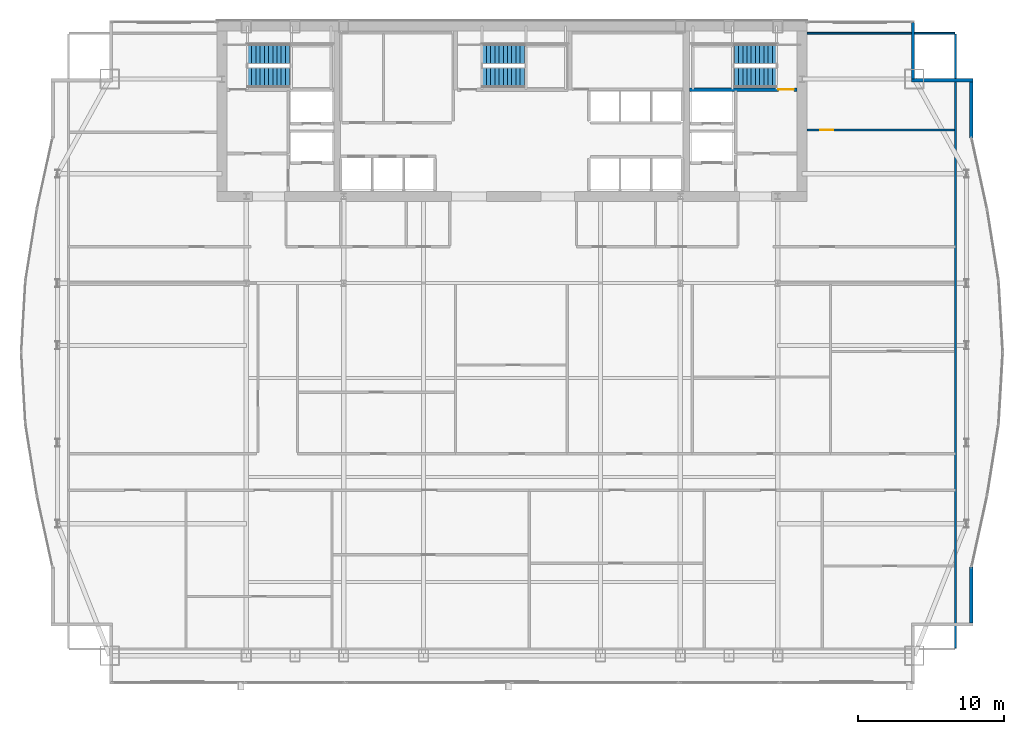
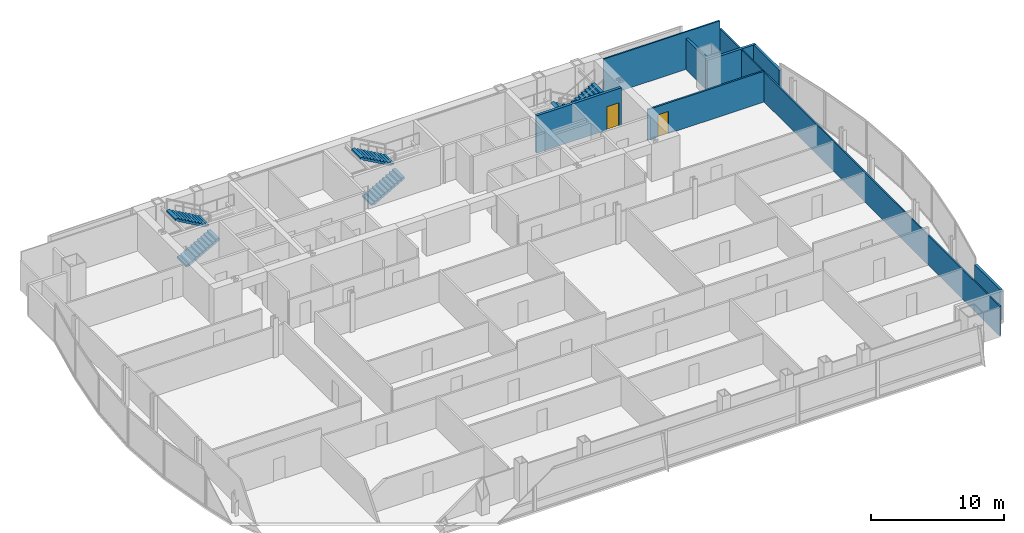
# One storey, part 27 of 29: 8 walls, 6 stair flights, 2 doors, 2 openings, 3 elements without a shape of their own.
"""IFC4 building model written with IfcOpenShell, lengths in metres."""

from ifc_helpers import new_model, si_unit, direction, frame, frame_2d, origin, place, context, subcontext, project, spatial, polyline, rectangle, outline, extrude, material, layer, layer_set, type_object, element, fill, aggregate, save


model = new_model("IFC4")

# Units and contexts
model_context = context("Model", 3, precision=1e-05, world=origin(), true_north=direction((0.0, 1.0)))
body_context = subcontext(model_context, "Body", "Model", "MODEL_VIEW")
ifc_project = project(units=[si_unit("LENGTHUNIT", "METRE"), si_unit("AREAUNIT", "SQUARE_METRE"), si_unit("VOLUMEUNIT", "CUBIC_METRE"), si_unit("PLANEANGLEUNIT", "RADIAN"), si_unit("MASSUNIT", "GRAM", prefix="KILO")], contexts=[model_context])

# Site, building, storey
site_placement = place(None, origin())
site = spatial("IfcSite", under=ifc_project, at=site_placement, CompositionType="ELEMENT")
building_placement = place(site_placement, origin())
building = spatial("IfcBuilding", under=site, at=building_placement, Name="Khoronbel Lancet Exchange", CompositionType="ELEMENT")
storey_placement = place(building_placement, frame((0.0, 0.0, 161.39990234375)))
storey = spatial("IfcBuildingStorey", under=building, at=storey_placement, Name="L40", CompositionType="ELEMENT", Elevation=161.39990234375)

# Walls
ifc_material_1 = material(Name="Precast concrete C40/50", Category="concrete")
ifc_layer_1 = layer(ifc_material_1, 0.25, Name="Precast concrete C40/50")
ifc_layer_set_1 = layer_set([ifc_layer_1], Name="Precast concrete C40/50")
wall_type_1 = type_object("IfcWallType", Name="WL-EXT250", PredefinedType="SOLIDWALL", material=ifc_layer_set_1)
wall_1_placement = place(storey_placement, frame((63.9599609375, 53.6298828125, 0.0), z_axis=(0.0, 0.0, 1.0), x_axis=(0.0, -1.0, 0.0)))
element("IfcWall", 1, at=wall_1_placement, inside=storey, type_object=wall_type_1, Name="Level L40 notched-corner limestone pier 14", PredefinedType="SOLIDWALL", context=body_context, shape_type="SweptSolid", body=[
    extrude(rectangle(XDim=3.909912109375, YDim=0.219970703125, at=frame_2d((1.955078125, 0.0))), origin(), (0.0, 0.0, 1.0), 2.830078125),
])
wall_2_placement = place(storey_placement, frame((63.85009765625, 49.610107421875, 0.0), z_axis=(0.0, 0.0, 1.0), x_axis=(1.0, 0.0, 0.0)))
element("IfcWall", 2, at=wall_2_placement, inside=storey, type_object=wall_type_1, Name="Level L40 notched-corner limestone pier 15", PredefinedType="SOLIDWALL", context=body_context, shape_type="SweptSolid", body=[
    extrude(rectangle(XDim=4.219970703125, YDim=0.219970703125, at=frame_2d((2.10986328125, 0.0))), origin(), (0.0, 0.0, 1.0), 2.830078125),
])
wall_3_placement = place(storey_placement, frame((67.9599609375, 49.5, 0.0), z_axis=(0.0, 0.0, 1.0), x_axis=(0.0, -1.0, 0.0)))
element("IfcWall", 3, at=wall_3_placement, inside=storey, type_object=wall_type_1, Name="Level L40 notched-corner limestone pier 16", PredefinedType="SOLIDWALL", context=body_context, shape_type="SweptSolid", body=[
    extrude(rectangle(XDim=3.82958984375, YDim=0.219970703125, at=frame_2d((1.914794921875, 0.0))), origin(), (0.0, 0.0, 1.0), 2.830078125),
])
wall_4_placement = place(storey_placement, frame((67.9599609375, 16.229736328125, 0.0), z_axis=(0.0, 0.0, 1.0), x_axis=(0.0, -1.0, 0.0)))
element("IfcWall", 4, at=wall_4_placement, inside=storey, type_object=wall_type_1, Name="Level L40 notched-corner limestone pier 23", PredefinedType="SOLIDWALL", context=body_context, shape_type="SweptSolid", body=[
    extrude(rectangle(XDim=3.829833984375, YDim=0.219970703125, at=frame_2d((1.9150390625, 0.0))), origin(), (0.0, 0.0, 1.0), 2.830078125),
])

# Wall, opening, door
ifc_material_2 = material(Name="Acoustic Metal-Stud & Mineral-Wool Gypsum Partition 120 mm", Category="gypsum")
ifc_layer_2 = layer(ifc_material_2, 0.1201171875, Name="Acoustic Metal-Stud & Mineral-Wool Gypsum Partition 120 mm")
ifc_layer_set_2 = layer_set([ifc_layer_2], Name="Acoustic Metal-Stud & Mineral-Wool Gypsum Partition 120 mm")
wall_type_2 = type_object("IfcWallType", Name="WL-PRT120", PredefinedType="PARTITIONING", material=ifc_layer_set_2)
wall_5_placement = place(storey_placement, frame((56.699951171875, 46.199951171875, 0.0), z_axis=(0.0, 0.0, 1.0), x_axis=(1.0, 0.0, 0.0)))
wall_5 = element("IfcWall", 5, at=wall_5_placement, inside=storey, type_object=wall_type_2, Name="Level L40 interior partition PW-NE-H", PredefinedType="PARTITIONING", context=body_context, shape_type="SweptSolid", body=[
    extrude(rectangle(XDim=10.10498046875, YDim=0.14990234375, at=frame_2d((5.052490234375, 0.0))), origin(), (0.0, 0.0, 1.0), 2.830078125),
])
opening_1_placement = place(wall_5_placement, frame((0.89990234375, 0.0, 0.0)))
opening_1 = element("IfcOpeningElement", 6, at=opening_1_placement, cuts=wall_5, Name="Opening D5", PredefinedType="OPENING", context=body_context, shape_type="SweptSolid", body=[
    extrude(rectangle(XDim=0.89990234375, YDim=2.050048828125, at=frame_2d((0.449951171875, 1.02490234375))), frame((0.0, 0.0849609375, 0.0), z_axis=(0.0, -1.0, 0.0), x_axis=(1.0, 0.0, 0.0)), (0.0, 0.0, 1.0), 0.169921875),
])
ifc_material_3 = material(Name="Acoustic Timber Pantry & Support Door", Category="wood")
door_type_1 = type_object("IfcDoorType", Name="DR-D5", OperationType="NOTDEFINED", PredefinedType="DOOR", material=ifc_material_3)
door_1_placement = place(opening_1_placement, origin())
door_1 = element("IfcDoor", 7, at=door_1_placement, inside=storey, type_object=door_type_1, Name="NE north room door L40-1", OperationType="SINGLE_SWING_RIGHT", OverallHeight=2.050048828125, OverallWidth=0.89990234375, PredefinedType="DOOR", context=body_context, shape_type="SweptSolid", body=[
    extrude(rectangle(XDim=0.89990234375, YDim=2.050048828125, at=frame_2d((0.449951171875, 1.02490234375))), frame((0.0, 0.02490234375, 0.0), z_axis=(0.0, -1.0, 0.0), x_axis=(1.0, 0.0, 0.0)), (0.0, 0.0, 1.0), 0.050048828125),
])
fill(opening_1, door_1)

# Walls
wall_6_placement = place(storey_placement, frame((66.8701171875, 10.6650390625, 0.0), z_axis=(0.0, 0.0, 1.0), x_axis=(0.0, 1.0, 0.0)))
element("IfcWall", 8, at=wall_6_placement, inside=storey, type_object=wall_type_2, Name="Level L40 interior partition PW-LIN-E", PredefinedType="PARTITIONING", context=body_context, shape_type="SweptSolid", body=[
    extrude(rectangle(XDim=42.10986328125, YDim=0.1201171875, at=frame_2d((21.054931640625, 0.0))), origin(), (0.0, 0.0, 1.0), 2.72998046875),
])
wall_7_placement = place(storey_placement, frame((56.699951171875, 52.840087890625, 0.0), z_axis=(0.0, 0.0, 1.0), x_axis=(1.0, 0.0, 0.0)))
element("IfcWall", 9, at=wall_7_placement, inside=storey, type_object=wall_type_2, Name="Level L40 interior partition PW-LIN-NE", PredefinedType="PARTITIONING", context=body_context, shape_type="SweptSolid", body=[
    extrude(rectangle(XDim=10.10498046875, YDim=0.1201171875, at=frame_2d((5.052490234375, 0.0))), origin(), (0.0, 0.0, 1.0), 3.440185546875),
])

# Wall, opening, door
ifc_material_4 = material(Name="Concrete C60/75", Category="concrete")
ifc_layer_3 = layer(ifc_material_4, 0.260009765625, Name="Concrete C60/75")
ifc_layer_set_3 = layer_set([ifc_layer_3], Name="Concrete C60/75")
wall_type_3 = type_object("IfcWallType", Name="WL-SW3", PredefinedType="SHEAR", material=ifc_layer_set_3)
wall_8_placement = place(storey_placement, frame((48.6298828125, 48.97998046875, 0.0), z_axis=(0.0, 0.0, 1.0), x_axis=(1.0, 0.0, 0.0)))
wall_8 = element("IfcWall", 10, at=wall_8_placement, inside=storey, type_object=wall_type_3, Name="Level L40 east stairwell structural south wall", PredefinedType="SHEAR", context=body_context, shape_type="SweptSolid", body=[
    extrude(rectangle(XDim=7.3701171875, YDim=0.239990234375, at=frame_2d((3.68505859375, 0.0))), origin(), (0.0, 0.0, 1.0), 3.440185546875),
])
opening_2_placement = place(wall_8_placement, frame((6.10009765625, 0.0, 0.0)))
opening_2 = element("IfcOpeningElement", 11, at=opening_2_placement, cuts=wall_8, Name="Opening SD1", PredefinedType="OPENING", context=body_context, shape_type="SweptSolid", body=[
    extrude(rectangle(XDim=1.050048828125, YDim=2.14990234375, at=frame_2d((0.52490234375, 1.074951171875))), frame((0.0, 0.1298828125, 0.0), z_axis=(0.0, -1.0, 0.0), x_axis=(1.0, 0.0, 0.0)), (0.0, 0.0, 1.0), 0.260009765625),
])
ifc_material_5 = material(Name="Fire-Rated Steel Stairwell Door Assembly", Category="steel")
door_type_2 = type_object("IfcDoorType", Name="DR-SD1", OperationType="NOTDEFINED", PredefinedType="DOOR", material=ifc_material_5)
door_2_placement = place(opening_2_placement, origin())
door_2 = element("IfcDoor", 12, at=door_2_placement, inside=storey, type_object=door_type_2, Name="Protected exit stair ST2 door L40", OperationType="SINGLE_SWING_RIGHT", OverallHeight=2.14990234375, OverallWidth=1.050048828125, PredefinedType="DOOR", context=body_context, shape_type="SweptSolid", body=[
    extrude(rectangle(XDim=1.050048828125, YDim=2.14990234375, at=frame_2d((0.52490234375, 1.074951171875))), frame((0.0, 0.02490234375, 0.0), z_axis=(0.0, -1.0, 0.0), x_axis=(1.0, 0.0, 0.0)), (0.0, 0.0, 1.0), 0.050048828125),
])
fill(opening_2, door_2)

# Stair, stair flights
ifc_material_6 = material(Name="Concrete C40/50", Category="concrete")
stair_type = type_object("IfcStairType", Name="STR-CORE150", PredefinedType="HALF_TURN_STAIR", material=ifc_material_6)
stair_1_placement = place(storey_placement, origin())
stair_1 = element("IfcStair", 13, at=stair_1_placement, inside=storey, type_object=stair_type, Name="L40 Protected Exit Stair ST1", PredefinedType="HALF_TURN_STAIR")
stair_flight_type = type_object("IfcStairFlightType", Name="STF-150", PredefinedType="STRAIGHT", material=ifc_material_6)
stair_flight_1_placement = place(storey_placement, frame((18.300048828125, 49.81005859375, 0.0), z_axis=(0.0, 0.0, 1.0), x_axis=(1.0, 0.0, 0.0)))
stair_flight_1 = element("IfcStairFlight", 14, at=stair_flight_1_placement, type_object=stair_flight_type, Name="ST1 flight 1", NumberOfRisers=11, NumberOfTreads=10, PredefinedType="STRAIGHT", RiserHeight=0.163636364, TreadLength=0.29, context=body_context, shape_type="SweptSolid", body=[
    extrude(outline(polyline([(0.0, 0.0), (0.0, 0.16357421875), (0.2900390625, 0.16357421875), (0.2900390625, 0.327392578125), (0.580078125, 0.327392578125), (0.580078125, 0.490966796875), (0.8701171875, 0.490966796875), (0.8701171875, 0.654541015625), (1.159912109375, 0.654541015625), (1.159912109375, 0.818115234375), (1.449951171875, 0.818115234375), (1.449951171875, 0.98193359375), (1.739990234375, 0.98193359375), (1.739990234375, 1.1455078125), (2.030029296875, 1.1455078125), (2.030029296875, 1.30908203125), (2.320068359375, 1.30908203125), (2.320068359375, 1.47265625), (2.610107421875, 1.47265625), (2.610107421875, 1.636474609375), (2.89990234375, 1.636474609375), (2.89990234375, 1.800048828125), (2.89990234375, 1.46435546875), (0.304931640625, 0.0), (0.0, 0.0)])), frame((0.0, 0.68994140625, 0.0), z_axis=(0.0, -1.0, 0.0), x_axis=(1.0, 0.0, 0.0)), (0.0, 0.0, 1.0), 1.3798828125),
])
stair_flight_2_placement = place(storey_placement, frame((21.199951171875, 51.409912109375, 1.800048828125), z_axis=(0.0, 0.0, 1.0), x_axis=(-1.0, 0.0, 0.0)))
stair_flight_2 = element("IfcStairFlight", 15, at=stair_flight_2_placement, type_object=stair_flight_type, Name="ST1 flight 2", NumberOfRisers=11, NumberOfTreads=10, PredefinedType="STRAIGHT", RiserHeight=0.163636364, TreadLength=0.29, context=body_context, shape_type="SweptSolid", body=[
    extrude(outline(polyline([(0.0, 0.0), (0.0, 0.16357421875), (0.2900390625, 0.16357421875), (0.2900390625, 0.327392578125), (0.580078125, 0.327392578125), (0.580078125, 0.490966796875), (0.8701171875, 0.490966796875), (0.8701171875, 0.654541015625), (1.159912109375, 0.654541015625), (1.159912109375, 0.818115234375), (1.449951171875, 0.818115234375), (1.449951171875, 0.98193359375), (1.739990234375, 0.98193359375), (1.739990234375, 1.1455078125), (2.030029296875, 1.1455078125), (2.030029296875, 1.30908203125), (2.320068359375, 1.30908203125), (2.320068359375, 1.47265625), (2.610107421875, 1.47265625), (2.610107421875, 1.636474609375), (2.89990234375, 1.636474609375), (2.89990234375, 1.800048828125), (2.89990234375, 1.46435546875), (0.304931640625, 0.0), (0.0, 0.0)])), frame((0.0, 0.68994140625, 0.0), z_axis=(0.0, -1.0, 0.0), x_axis=(1.0, 0.0, 0.0)), (0.0, 0.0, 1.0), 1.3798828125),
])
aggregate(stair_1, [stair_flight_1, stair_flight_2])

stair_2_placement = place(storey_placement, origin())
stair_2 = element("IfcStair", 16, at=stair_2_placement, inside=storey, type_object=stair_type, Name="L40 Protected Exit Stair ST2", PredefinedType="HALF_TURN_STAIR")
stair_flight_3_placement = place(storey_placement, frame((54.60009765625, 51.409912109375, 0.0), z_axis=(0.0, 0.0, 1.0), x_axis=(-1.0, 0.0, 0.0)))
stair_flight_3 = element("IfcStairFlight", 17, at=stair_flight_3_placement, type_object=stair_flight_type, Name="ST2 flight 1", NumberOfRisers=11, NumberOfTreads=10, PredefinedType="STRAIGHT", RiserHeight=0.163636364, TreadLength=0.29, context=body_context, shape_type="SweptSolid", body=[
    extrude(outline(polyline([(0.0, 0.0), (0.0, 0.16357421875), (0.2900390625, 0.16357421875), (0.2900390625, 0.327392578125), (0.580078125, 0.327392578125), (0.580078125, 0.490966796875), (0.8701171875, 0.490966796875), (0.8701171875, 0.654541015625), (1.159912109375, 0.654541015625), (1.159912109375, 0.818115234375), (1.449951171875, 0.818115234375), (1.449951171875, 0.98193359375), (1.739990234375, 0.98193359375), (1.739990234375, 1.1455078125), (2.030029296875, 1.1455078125), (2.030029296875, 1.30908203125), (2.320068359375, 1.30908203125), (2.320068359375, 1.47265625), (2.610107421875, 1.47265625), (2.610107421875, 1.636474609375), (2.89990234375, 1.636474609375), (2.89990234375, 1.800048828125), (2.89990234375, 1.46435546875), (0.304931640625, 0.0), (0.0, 0.0)])), frame((0.0, 0.68994140625, 0.0), z_axis=(0.0, -1.0, 0.0), x_axis=(1.0, 0.0, 0.0)), (0.0, 0.0, 1.0), 1.3798828125),
])
stair_flight_4_placement = place(storey_placement, frame((51.699951171875, 49.81005859375, 1.800048828125), z_axis=(0.0, 0.0, 1.0), x_axis=(1.0, 0.0, 0.0)))
stair_flight_4 = element("IfcStairFlight", 18, at=stair_flight_4_placement, type_object=stair_flight_type, Name="ST2 flight 2", NumberOfRisers=11, NumberOfTreads=10, PredefinedType="STRAIGHT", RiserHeight=0.163636364, TreadLength=0.29, context=body_context, shape_type="SweptSolid", body=[
    extrude(outline(polyline([(0.0, 0.0), (0.0, 0.16357421875), (0.2900390625, 0.16357421875), (0.2900390625, 0.327392578125), (0.580078125, 0.327392578125), (0.580078125, 0.490966796875), (0.8701171875, 0.490966796875), (0.8701171875, 0.654541015625), (1.159912109375, 0.654541015625), (1.159912109375, 0.818115234375), (1.449951171875, 0.818115234375), (1.449951171875, 0.98193359375), (1.739990234375, 0.98193359375), (1.739990234375, 1.1455078125), (2.030029296875, 1.1455078125), (2.030029296875, 1.30908203125), (2.320068359375, 1.30908203125), (2.320068359375, 1.47265625), (2.610107421875, 1.47265625), (2.610107421875, 1.636474609375), (2.89990234375, 1.636474609375), (2.89990234375, 1.800048828125), (2.89990234375, 1.46435546875), (0.304931640625, 0.0), (0.0, 0.0)])), frame((0.0, 0.68994140625, 0.0), z_axis=(0.0, -1.0, 0.0), x_axis=(1.0, 0.0, 0.0)), (0.0, 0.0, 1.0), 1.3798828125),
])
aggregate(stair_2, [stair_flight_3, stair_flight_4])

stair_3_placement = place(storey_placement, origin())
stair_3 = element("IfcStair", 19, at=stair_3_placement, inside=storey, type_object=stair_type, Name="L40 Protected Exit Stair ST3", PredefinedType="HALF_TURN_STAIR")
stair_flight_5_placement = place(storey_placement, frame((34.39990234375, 49.81005859375, 0.0), z_axis=(0.0, 0.0, 1.0), x_axis=(1.0, 0.0, 0.0)))
stair_flight_5 = element("IfcStairFlight", 20, at=stair_flight_5_placement, type_object=stair_flight_type, Name="ST3 flight 1", NumberOfRisers=11, NumberOfTreads=10, PredefinedType="STRAIGHT", RiserHeight=0.163636364, TreadLength=0.29, context=body_context, shape_type="SweptSolid", body=[
    extrude(outline(polyline([(0.0, 0.0), (0.0, 0.16357421875), (0.2900390625, 0.16357421875), (0.2900390625, 0.327392578125), (0.580078125, 0.327392578125), (0.580078125, 0.490966796875), (0.8701171875, 0.490966796875), (0.8701171875, 0.654541015625), (1.159912109375, 0.654541015625), (1.159912109375, 0.818115234375), (1.449951171875, 0.818115234375), (1.449951171875, 0.98193359375), (1.739990234375, 0.98193359375), (1.739990234375, 1.1455078125), (2.030029296875, 1.1455078125), (2.030029296875, 1.30908203125), (2.320068359375, 1.30908203125), (2.320068359375, 1.47265625), (2.610107421875, 1.47265625), (2.610107421875, 1.636474609375), (2.89990234375, 1.636474609375), (2.89990234375, 1.800048828125), (2.89990234375, 1.46435546875), (0.304931640625, 0.0), (0.0, 0.0)])), frame((0.0, 0.68994140625, 0.0), z_axis=(0.0, -1.0, 0.0), x_axis=(1.0, 0.0, 0.0)), (0.0, 0.0, 1.0), 1.3798828125),
])
stair_flight_6_placement = place(storey_placement, frame((37.300048828125, 51.409912109375, 1.800048828125), z_axis=(0.0, 0.0, 1.0), x_axis=(-1.0, 0.0, 0.0)))
stair_flight_6 = element("IfcStairFlight", 21, at=stair_flight_6_placement, type_object=stair_flight_type, Name="ST3 flight 2", NumberOfRisers=11, NumberOfTreads=10, PredefinedType="STRAIGHT", RiserHeight=0.163636364, TreadLength=0.29, context=body_context, shape_type="SweptSolid", body=[
    extrude(outline(polyline([(0.0, 0.0), (0.0, 0.16357421875), (0.2900390625, 0.16357421875), (0.2900390625, 0.327392578125), (0.580078125, 0.327392578125), (0.580078125, 0.490966796875), (0.8701171875, 0.490966796875), (0.8701171875, 0.654541015625), (1.159912109375, 0.654541015625), (1.159912109375, 0.818115234375), (1.449951171875, 0.818115234375), (1.449951171875, 0.98193359375), (1.739990234375, 0.98193359375), (1.739990234375, 1.1455078125), (2.030029296875, 1.1455078125), (2.030029296875, 1.30908203125), (2.320068359375, 1.30908203125), (2.320068359375, 1.47265625), (2.610107421875, 1.47265625), (2.610107421875, 1.636474609375), (2.89990234375, 1.636474609375), (2.89990234375, 1.800048828125), (2.89990234375, 1.46435546875), (0.304931640625, 0.0), (0.0, 0.0)])), frame((0.0, 0.68994140625, 0.0), z_axis=(0.0, -1.0, 0.0), x_axis=(1.0, 0.0, 0.0)), (0.0, 0.0, 1.0), 1.3798828125),
])
aggregate(stair_3, [stair_flight_5, stair_flight_6])

save(model, "model.ifc")
